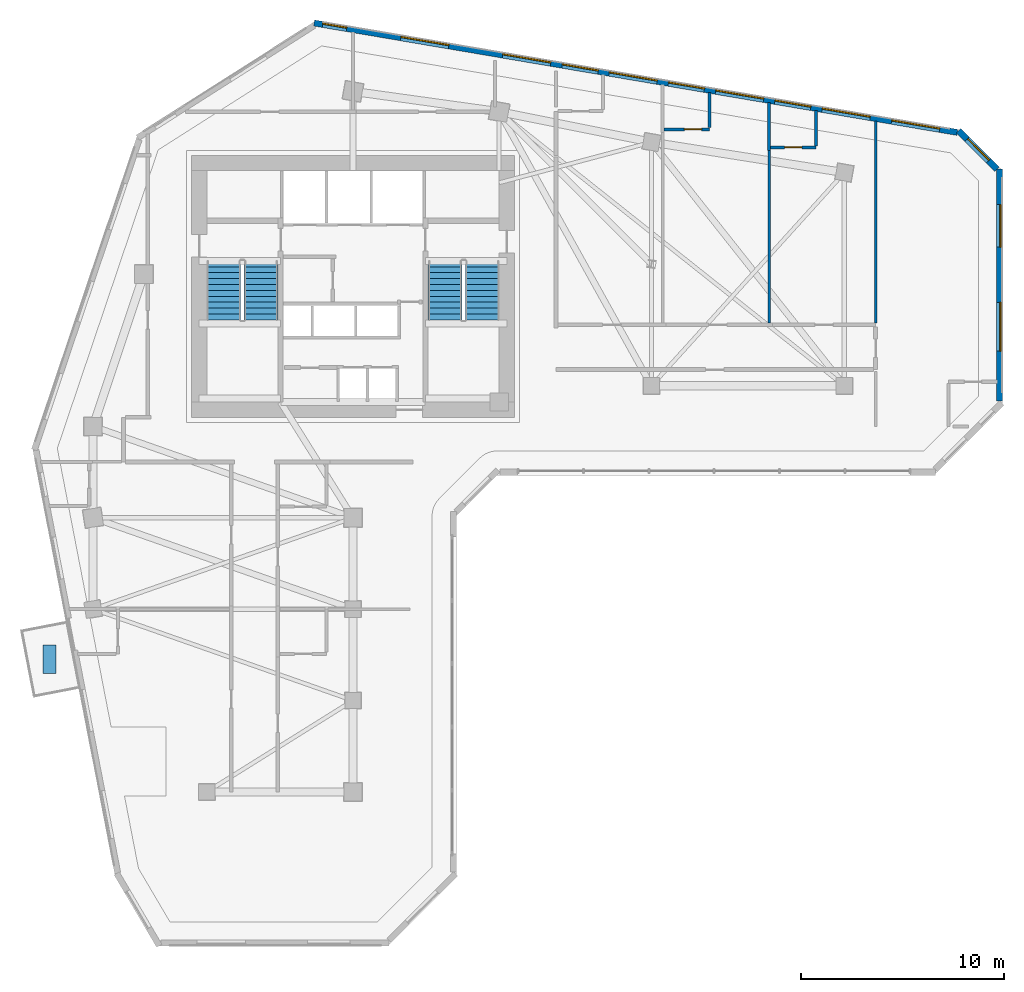
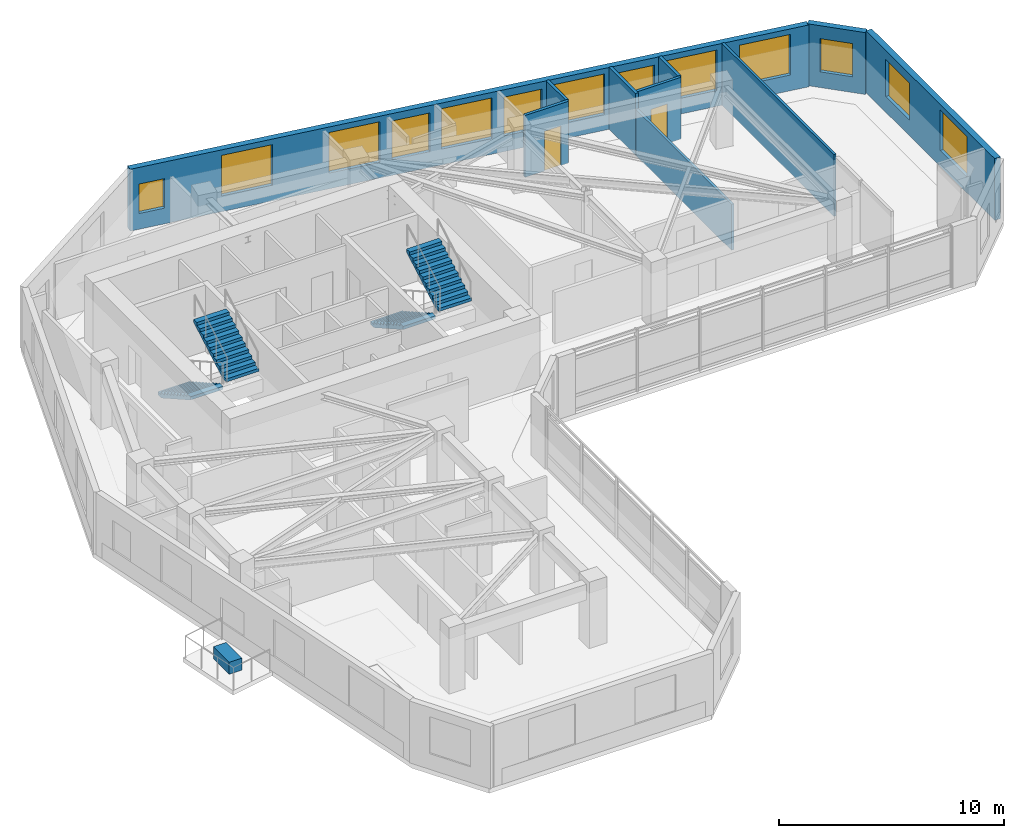
# One storey, part 8 of 11: 13 windows, 10 walls, 4 stair flights, 2 doors, 1 discrete accessory, 15 openings, 2 elements without a shape of their own.
"""IFC4 building model written with IfcOpenShell, lengths in metres."""

from ifc_helpers import new_model, si_unit, direction, frame, frame_2d, origin, origin_2d, place, context, subcontext, project, spatial, polyline, rectangle, outline, extrude, source, transform, mapped, material, layer, layer_set, type_object, element, fill, aggregate, save


model = new_model("IFC4")

# Units and contexts
model_context = context("Model", 3, precision=1e-05, world=origin(), true_north=direction((0.0, 1.0)))
body_context = subcontext(model_context, "Body", "Model", "MODEL_VIEW")
ifc_project = project(units=[si_unit("LENGTHUNIT", "METRE"), si_unit("AREAUNIT", "SQUARE_METRE"), si_unit("VOLUMEUNIT", "CUBIC_METRE"), si_unit("PLANEANGLEUNIT", "RADIAN"), si_unit("MASSUNIT", "GRAM", prefix="KILO")], contexts=[model_context])

# Site, building, storey
site_placement = place(None, origin())
site = spatial("IfcSite", under=ifc_project, at=site_placement, CompositionType="ELEMENT")
building_placement = place(site_placement, origin())
building = spatial("IfcBuilding", under=site, at=building_placement, Name="Calvemar Wedge Station Tower", CompositionType="ELEMENT")
storey_placement = place(building_placement, frame((0.0, 0.0, 117.800048828125)))
storey = spatial("IfcBuildingStorey", under=building, at=storey_placement, Name="L28", CompositionType="ELEMENT", Elevation=117.800048828125)

# Wall, openings, windows
ifc_material_1 = material(Name="Precast concrete C45", Category="concrete")
ifc_layer_1 = layer(ifc_material_1, 0.300048828125)
ifc_layer_set_1 = layer_set([ifc_layer_1], Name="Precast concrete C45")
wall_type_1 = type_object("IfcWallType", Name="W-EXT-GFRC-300", PredefinedType="SOLIDWALL", material=ifc_layer_set_1)
wall_1_placement = place(storey_placement, frame((55.64990234375, 34.249267578125, 0.0), z_axis=(0.0, 0.0, 1.0), x_axis=(0.0, 1.0, 0.0)))
wall_1 = element("IfcWall", 1, at=wall_1_placement, inside=storey, type_object=wall_type_1, Name="Storey L28 Bronze GFRC Exterior Wall 8", PredefinedType="SOLIDWALL", context=body_context, shape_type="SweptSolid", body=[
    extrude(rectangle(XDim=11.4306640625, YDim=0.300048828125, at=frame_2d((5.71533203125, 0.0))), origin(), (0.0, 0.0, 1.0), 3.349853515625),
])
shared_shape_1 = source(origin(), body_context, "Body", "SweptSolid", [
    extrude(rectangle(XDim=2.39990234375, YDim=2.199951171875, at=frame_2d((1.199951171875, 1.10009765625))), frame((0.0, 0.16015625, 0.0), z_axis=(0.0, -1.0, 0.0), x_axis=(1.0, 0.0, 0.0)), (0.0, 0.0, 1.0), 0.320068359375),
])
opening_1_placement = place(wall_1_placement, frame((2.4560546875, 0.0, 0.85009765625)))
opening_1 = element("IfcOpeningElement", 2, at=opening_1_placement, cuts=wall_1, Name="Opening W1", PredefinedType="OPENING", context=body_context, shape_type="MappedRepresentation", body=[
    mapped(shared_shape_1, transform((0.0, 0.0, 0.0), scale=1.0)),
])
shared_shape_2 = source(origin(), body_context, "Body", "SweptSolid", [
    extrude(rectangle(XDim=2.10009765625, YDim=2.0, at=frame_2d((1.050048828125, 1.0))), frame((0.0, 0.16015625, 0.0), z_axis=(0.0, -1.0, 0.0), x_axis=(1.0, 0.0, 0.0)), (0.0, 0.0, 1.0), 0.320068359375),
])
opening_2_placement = place(wall_1_placement, frame((7.575927734375, 0.0, 0.85009765625)))
opening_2 = element("IfcOpeningElement", 3, at=opening_2_placement, cuts=wall_1, Name="Opening W4", PredefinedType="OPENING", context=body_context, shape_type="MappedRepresentation", body=[
    mapped(shared_shape_2, transform((0.0, 0.0, 0.0), scale=1.0)),
])
ifc_material_2 = material(Name="Low-E laminated insulated glass", Category="glass")
window_type_1 = type_object("IfcWindowType", Name="WIN-EXT-4", PartitioningType="SINGLE_PANEL", PredefinedType="WINDOW", material=ifc_material_2)
shared_shape_3 = source(origin(), body_context, "Body", "SweptSolid", [
    extrude(rectangle(XDim=2.10009765625, YDim=2.0, at=frame_2d((1.050048828125, 1.0))), frame((0.0, -0.014892578125, 0.0), z_axis=(0.0, -1.0, 0.0), x_axis=(1.0, 0.0, 0.0)), (0.0, 0.0, 1.0), 0.06005859375),
])
window_1_placement = place(opening_2_placement, origin())
window_1 = element("IfcWindow", 4, at=window_1_placement, inside=storey, type_object=window_type_1, Name="Storey L28 Recessed Window 8.2", OverallHeight=2.0, OverallWidth=2.10009765625, PartitioningType="SINGLE_PANEL", PredefinedType="WINDOW", context=body_context, shape_type="MappedRepresentation", body=[
    mapped(shared_shape_3, transform((0.0, 0.0, 0.0), scale=1.0)),
])
fill(opening_2, window_1)
window_type_2 = type_object("IfcWindowType", Name="WIN-EXT-1", PartitioningType="SINGLE_PANEL", PredefinedType="WINDOW", material=ifc_material_2)
shared_shape_4 = source(origin(), body_context, "Body", "SweptSolid", [
    extrude(rectangle(XDim=2.39990234375, YDim=2.199951171875, at=frame_2d((1.199951171875, 1.10009765625))), frame((0.0, -0.014892578125, 0.0), z_axis=(0.0, -1.0, 0.0), x_axis=(1.0, 0.0, 0.0)), (0.0, 0.0, 1.0), 0.06005859375),
])
window_2_placement = place(opening_1_placement, origin())
window_2 = element("IfcWindow", 5, at=window_2_placement, inside=storey, type_object=window_type_2, Name="Storey L28 Recessed Window 8.1", OverallHeight=2.199951171875, OverallWidth=2.39990234375, PartitioningType="SINGLE_PANEL", PredefinedType="WINDOW", context=body_context, shape_type="MappedRepresentation", body=[
    mapped(shared_shape_4, transform((0.0, 0.0, 0.0), scale=1.0)),
])
fill(opening_1, window_2)

# Wall, opening, window
wall_2_placement = place(storey_placement, frame((55.511962890625, 45.66796875, 0.0), z_axis=(0.0, 0.0, 1.0), x_axis=(-0.707152443695, 0.707061115729, 0.0)))
wall_2 = element("IfcWall", 6, at=wall_2_placement, inside=storey, type_object=wall_type_1, Name="Storey L28 Bronze GFRC Exterior Wall 9", PredefinedType="SOLIDWALL", context=body_context, shape_type="SweptSolid", body=[
    extrude(rectangle(XDim=2.67333984375, YDim=0.300048828125, at=frame_2d((1.336669921875, 0.0))), origin(), (0.0, 0.0, 1.0), 3.349853515625),
])
shared_shape_5 = source(origin(), body_context, "Body", "SweptSolid", [
    extrude(rectangle(XDim=1.5, YDim=1.800048828125, at=frame_2d((0.75, 0.89990234375))), frame((0.0, 0.16015625, 0.0), z_axis=(0.0, -1.0, 0.0), x_axis=(1.0, 0.0, 0.0)), (0.0, 0.0, 1.0), 0.320068359375),
])
opening_3_placement = place(wall_2_placement, frame((0.5869140625, 0.0, 0.85009765625)))
opening_3 = element("IfcOpeningElement", 7, at=opening_3_placement, cuts=wall_2, Name="Opening W3", PredefinedType="OPENING", context=body_context, shape_type="MappedRepresentation", body=[
    mapped(shared_shape_5, transform((0.0, 0.0, 0.0), scale=1.0)),
])
window_type_3 = type_object("IfcWindowType", Name="WIN-EXT-3", PartitioningType="SINGLE_PANEL", PredefinedType="WINDOW", material=ifc_material_2)
shared_shape_6 = source(origin(), body_context, "Body", "SweptSolid", [
    extrude(rectangle(XDim=1.5, YDim=1.800048828125, at=frame_2d((0.75, 0.89990234375))), frame((0.0, -0.014892578125, 0.0), z_axis=(0.0, -1.0, 0.0), x_axis=(1.0, 0.0, 0.0)), (0.0, 0.0, 1.0), 0.06005859375),
])
window_3_placement = place(opening_3_placement, origin())
window_3 = element("IfcWindow", 8, at=window_3_placement, inside=storey, type_object=window_type_3, Name="Storey L28 Recessed Window 9.1", OverallHeight=1.800048828125, OverallWidth=1.5, PartitioningType="SINGLE_PANEL", PredefinedType="WINDOW", context=body_context, shape_type="MappedRepresentation", body=[
    mapped(shared_shape_6, transform((0.0, 0.0, 0.0), scale=1.0)),
])
fill(opening_3, window_3)

# Wall, openings, windows
wall_3_placement = place(storey_placement, frame((53.56103515625, 47.48046875, 0.0), z_axis=(0.0, 0.0, 1.0), x_axis=(-0.985845173895, 0.167658262868, 0.0)))
wall_3 = element("IfcWall", 9, at=wall_3_placement, inside=storey, type_object=wall_type_1, Name="Storey L28 Bronze GFRC Exterior Wall 10", PredefinedType="SOLIDWALL", context=body_context, shape_type="SweptSolid", body=[
    extrude(rectangle(XDim=32.132080078125, YDim=0.300048828125, at=frame_2d((16.06591796875, 0.0))), origin(), (0.0, 0.0, 1.0), 3.349853515625),
])
opening_4_placement = place(wall_3_placement, frame((0.882080078125, 0.0, 0.85009765625)))
opening_4 = element("IfcOpeningElement", 10, at=opening_4_placement, cuts=wall_3, Name="Opening W1", PredefinedType="OPENING", context=body_context, shape_type="MappedRepresentation", body=[
    mapped(shared_shape_1, transform((0.0, 0.0, 0.0), scale=1.0)),
])
opening_5_placement = place(wall_3_placement, frame((4.35400390625, 0.0, 0.85009765625)))
opening_5 = element("IfcOpeningElement", 11, at=opening_5_placement, cuts=wall_3, Name="Opening W1", PredefinedType="OPENING", context=body_context, shape_type="MappedRepresentation", body=[
    mapped(shared_shape_1, transform((0.0, 0.0, 0.0), scale=1.0)),
])
shared_shape_7 = source(origin(), body_context, "Body", "SweptSolid", [
    extrude(rectangle(XDim=1.800048828125, YDim=2.10009765625, at=frame_2d((0.89990234375, 1.050048828125))), frame((0.0, 0.16015625, 0.0), z_axis=(0.0, -1.0, 0.0), x_axis=(1.0, 0.0, 0.0)), (0.0, 0.0, 1.0), 0.320068359375),
])
opening_6_placement = place(wall_3_placement, frame((7.31396484375, 0.0, 0.85009765625)))
opening_6 = element("IfcOpeningElement", 12, at=opening_6_placement, cuts=wall_3, Name="Opening W2", PredefinedType="OPENING", context=body_context, shape_type="MappedRepresentation", body=[
    mapped(shared_shape_7, transform((0.0, 0.0, 0.0), scale=1.0)),
])
opening_7_placement = place(wall_3_placement, frame((9.674072265625, 0.0, 0.85009765625)))
opening_7 = element("IfcOpeningElement", 13, at=opening_7_placement, cuts=wall_3, Name="Opening W1", PredefinedType="OPENING", context=body_context, shape_type="MappedRepresentation", body=[
    mapped(shared_shape_1, transform((0.0, 0.0, 0.0), scale=1.0)),
])
opening_8_placement = place(wall_3_placement, frame((12.634033203125, 0.0, 0.85009765625)))
opening_8 = element("IfcOpeningElement", 14, at=opening_8_placement, cuts=wall_3, Name="Opening W2", PredefinedType="OPENING", context=body_context, shape_type="MappedRepresentation", body=[
    mapped(shared_shape_7, transform((0.0, 0.0, 0.0), scale=1.0)),
])
opening_9_placement = place(wall_3_placement, frame((14.993896484375, 0.0, 0.85009765625)))
opening_9 = element("IfcOpeningElement", 15, at=opening_9_placement, cuts=wall_3, Name="Opening W1", PredefinedType="OPENING", context=body_context, shape_type="MappedRepresentation", body=[
    mapped(shared_shape_1, transform((0.0, 0.0, 0.0), scale=1.0)),
])
opening_10_placement = place(wall_3_placement, frame((17.93603515625, 0.0, 0.85009765625)))
opening_10 = element("IfcOpeningElement", 16, at=opening_10_placement, cuts=wall_3, Name="Opening W2", PredefinedType="OPENING", context=body_context, shape_type="MappedRepresentation", body=[
    mapped(shared_shape_7, transform((0.0, 0.0, 0.0), scale=1.0)),
])
opening_11_placement = place(wall_3_placement, frame((20.30908203125, 0.0, 0.85009765625)))
opening_11 = element("IfcOpeningElement", 17, at=opening_11_placement, cuts=wall_3, Name="Opening W1", PredefinedType="OPENING", context=body_context, shape_type="MappedRepresentation", body=[
    mapped(shared_shape_1, transform((0.0, 0.0, 0.0), scale=1.0)),
])
opening_12_placement = place(wall_3_placement, frame((25.39990234375, 0.0, 0.85009765625)))
opening_12 = element("IfcOpeningElement", 18, at=opening_12_placement, cuts=wall_3, Name="Opening W1", PredefinedType="OPENING", context=body_context, shape_type="MappedRepresentation", body=[
    mapped(shared_shape_1, transform((0.0, 0.0, 0.0), scale=1.0)),
])
shared_shape_8 = source(origin(), body_context, "Body", "SweptSolid", [
    extrude(rectangle(XDim=1.199951171875, YDim=1.60009765625, at=frame_2d((0.60009765625, 0.800048828125))), frame((0.0, 0.16015625, 0.0), z_axis=(0.0, -1.0, 0.0), x_axis=(1.0, 0.0, 0.0)), (0.0, 0.0, 1.0), 0.320068359375),
])
opening_13_placement = place(wall_3_placement, frame((30.5, 0.0, 0.85009765625)))
opening_13 = element("IfcOpeningElement", 19, at=opening_13_placement, cuts=wall_3, Name="Opening W5", PredefinedType="OPENING", context=body_context, shape_type="MappedRepresentation", body=[
    mapped(shared_shape_8, transform((0.0, 0.0, 0.0), scale=1.0)),
])
window_type_4 = type_object("IfcWindowType", Name="WIN-EXT-2", PartitioningType="SINGLE_PANEL", PredefinedType="WINDOW", material=ifc_material_2)
shared_shape_9 = source(origin(), body_context, "Body", "SweptSolid", [
    extrude(rectangle(XDim=1.800048828125, YDim=2.10009765625, at=frame_2d((0.89990234375, 1.050048828125))), frame((0.0, -0.014892578125, 0.0), z_axis=(0.0, -1.0, 0.0), x_axis=(1.0, 0.0, 0.0)), (0.0, 0.0, 1.0), 0.06005859375),
])
window_4_placement = place(opening_6_placement, origin())
window_4 = element("IfcWindow", 20, at=window_4_placement, inside=storey, type_object=window_type_4, Name="Storey L28 Recessed Window 10.3", OverallHeight=2.10009765625, OverallWidth=1.800048828125, PartitioningType="SINGLE_PANEL", PredefinedType="WINDOW", context=body_context, shape_type="MappedRepresentation", body=[
    mapped(shared_shape_9, transform((0.0, 0.0, 0.0), scale=1.0)),
])
fill(opening_6, window_4)
window_5_placement = place(opening_8_placement, origin())
window_5 = element("IfcWindow", 21, at=window_5_placement, inside=storey, type_object=window_type_4, Name="Storey L28 Recessed Window 10.5", OverallHeight=2.10009765625, OverallWidth=1.800048828125, PartitioningType="SINGLE_PANEL", PredefinedType="WINDOW", context=body_context, shape_type="MappedRepresentation", body=[
    mapped(shared_shape_9, transform((0.0, 0.0, 0.0), scale=1.0)),
])
fill(opening_8, window_5)
window_6_placement = place(opening_10_placement, origin())
window_6 = element("IfcWindow", 22, at=window_6_placement, inside=storey, type_object=window_type_4, Name="Storey L28 Recessed Window 10.7", OverallHeight=2.10009765625, OverallWidth=1.800048828125, PartitioningType="SINGLE_PANEL", PredefinedType="WINDOW", context=body_context, shape_type="MappedRepresentation", body=[
    mapped(shared_shape_9, transform((0.0, 0.0, 0.0), scale=1.0)),
])
fill(opening_10, window_6)
window_7_placement = place(opening_4_placement, origin())
window_7 = element("IfcWindow", 23, at=window_7_placement, inside=storey, type_object=window_type_2, Name="Storey L28 Recessed Window 10.1", OverallHeight=2.199951171875, OverallWidth=2.39990234375, PartitioningType="SINGLE_PANEL", PredefinedType="WINDOW", context=body_context, shape_type="MappedRepresentation", body=[
    mapped(shared_shape_4, transform((0.0, 0.0, 0.0), scale=1.0)),
])
fill(opening_4, window_7)
window_8_placement = place(opening_5_placement, origin())
window_8 = element("IfcWindow", 24, at=window_8_placement, inside=storey, type_object=window_type_2, Name="Storey L28 Recessed Window 10.2", OverallHeight=2.199951171875, OverallWidth=2.39990234375, PartitioningType="SINGLE_PANEL", PredefinedType="WINDOW", context=body_context, shape_type="MappedRepresentation", body=[
    mapped(shared_shape_4, transform((0.0, 0.0, 0.0), scale=1.0)),
])
fill(opening_5, window_8)
window_9_placement = place(opening_7_placement, origin())
window_9 = element("IfcWindow", 25, at=window_9_placement, inside=storey, type_object=window_type_2, Name="Storey L28 Recessed Window 10.4", OverallHeight=2.199951171875, OverallWidth=2.39990234375, PartitioningType="SINGLE_PANEL", PredefinedType="WINDOW", context=body_context, shape_type="MappedRepresentation", body=[
    mapped(shared_shape_4, transform((0.0, 0.0, 0.0), scale=1.0)),
])
fill(opening_7, window_9)
window_10_placement = place(opening_9_placement, origin())
window_10 = element("IfcWindow", 26, at=window_10_placement, inside=storey, type_object=window_type_2, Name="Storey L28 Recessed Window 10.6", OverallHeight=2.199951171875, OverallWidth=2.39990234375, PartitioningType="SINGLE_PANEL", PredefinedType="WINDOW", context=body_context, shape_type="MappedRepresentation", body=[
    mapped(shared_shape_4, transform((0.0, 0.0, 0.0), scale=1.0)),
])
fill(opening_9, window_10)
window_11_placement = place(opening_11_placement, origin())
window_11 = element("IfcWindow", 27, at=window_11_placement, inside=storey, type_object=window_type_2, Name="Storey L28 Recessed Window 10.8", OverallHeight=2.199951171875, OverallWidth=2.39990234375, PartitioningType="SINGLE_PANEL", PredefinedType="WINDOW", context=body_context, shape_type="MappedRepresentation", body=[
    mapped(shared_shape_4, transform((0.0, 0.0, 0.0), scale=1.0)),
])
fill(opening_11, window_11)
window_12_placement = place(opening_12_placement, origin())
window_12 = element("IfcWindow", 28, at=window_12_placement, inside=storey, type_object=window_type_2, Name="Storey L28 Recessed Window 10.9", OverallHeight=2.199951171875, OverallWidth=2.39990234375, PartitioningType="SINGLE_PANEL", PredefinedType="WINDOW", context=body_context, shape_type="MappedRepresentation", body=[
    mapped(shared_shape_4, transform((0.0, 0.0, 0.0), scale=1.0)),
])
fill(opening_12, window_12)
window_type_5 = type_object("IfcWindowType", Name="WIN-EXT-5", PartitioningType="SINGLE_PANEL", PredefinedType="WINDOW", material=ifc_material_2)
shared_shape_10 = source(origin(), body_context, "Body", "SweptSolid", [
    extrude(rectangle(XDim=1.199951171875, YDim=1.60009765625, at=frame_2d((0.60009765625, 0.800048828125))), frame((0.0, -0.014892578125, 0.0), z_axis=(0.0, -1.0, 0.0), x_axis=(1.0, 0.0, 0.0)), (0.0, 0.0, 1.0), 0.06005859375),
])
window_13_placement = place(opening_13_placement, origin())
window_13 = element("IfcWindow", 29, at=window_13_placement, inside=storey, type_object=window_type_5, Name="Storey L28 Recessed Window 10.10", OverallHeight=1.60009765625, OverallWidth=1.199951171875, PartitioningType="SINGLE_PANEL", PredefinedType="WINDOW", context=body_context, shape_type="MappedRepresentation", body=[
    mapped(shared_shape_10, transform((0.0, 0.0, 0.0), scale=1.0)),
])
fill(opening_13, window_13)

# Walls
ifc_material_3 = material(Name="Insulated acoustic gypsum stud partition")
ifc_layer_2 = layer(ifc_material_3, 0.125)
ifc_layer_set_2 = layer_set([ifc_layer_2], Name="Insulated acoustic gypsum stud partition")
wall_type_2 = type_object("IfcWallType", Name="W-PART-125", PredefinedType="PARTITIONING", material=ifc_layer_set_2)
wall_4_placement = place(storey_placement, frame((44.2900390625, 46.57861328125, 0.0), z_axis=(0.0, 0.0, 1.0), x_axis=(0.0, -1.0, 0.0)))
element("IfcWall", 30, at=wall_4_placement, inside=storey, type_object=wall_type_2, Name="Storey L28 Interior Partition WL-L28-031", PredefinedType="PARTITIONING", context=body_context, shape_type="SweptSolid", body=[
    extrude(rectangle(XDim=8.484619140625, YDim=0.125, at=frame_2d((4.2421875, 0.0))), origin(), (0.0, 0.0, 1.0), 2.491943359375),
])
wall_5_placement = place(storey_placement, frame((49.534912109375, 48.048583984375, 0.0), z_axis=(0.0, 0.0, 1.0), x_axis=(0.0, -1.0, 0.0)))
element("IfcWall", 31, at=wall_5_placement, inside=storey, type_object=wall_type_2, Name="Storey L28 Interior Partition WL-L28-034", PredefinedType="PARTITIONING", context=body_context, shape_type="SweptSolid", body=[
    extrude(rectangle(XDim=9.95458984375, YDim=0.125, at=frame_2d((4.977294921875, 0.0))), origin(), (0.0, 0.0, 1.0), 3.349853515625),
])

# Wall, opening, door
ifc_material_4 = material(Name="Moisture-resistant acoustic bathroom partition")
ifc_layer_3 = layer(ifc_material_4, 0.14990234375)
ifc_layer_set_3 = layer_set([ifc_layer_3], Name="Moisture-resistant acoustic bathroom partition")
wall_type_3 = type_object("IfcWallType", Name="W-WET-150", PredefinedType="PARTITIONING", material=ifc_layer_set_3)
wall_6_placement = place(storey_placement, frame((41.35302734375, 47.632568359375, 0.0), z_axis=(0.0, 0.0, 1.0), x_axis=(-1.0, 0.0, 0.0)))
wall_6 = element("IfcWall", 32, at=wall_6_placement, inside=storey, type_object=wall_type_3, Name="Storey L28 Interior Partition WL-L28-028", PredefinedType="PARTITIONING", context=body_context, shape_type="SweptSolid", body=[
    extrude(rectangle(XDim=2.22900390625, YDim=0.14990234375, at=frame_2d((1.114501953125, 0.0))), origin(), (0.0, 0.0, 1.0), 3.349853515625),
])
shared_shape_11 = source(origin(), body_context, "Body", "SweptSolid", [
    extrude(rectangle(XDim=0.85009765625, YDim=2.14990234375, at=frame_2d((0.425048828125, 1.074951171875))), frame((0.0, 0.0849609375, 0.0), z_axis=(0.0, -1.0, 0.0), x_axis=(1.0, 0.0, 0.0)), (0.0, 0.0, 1.0), 0.169921875),
])
opening_14_placement = place(wall_6_placement, frame((0.38232421875, 0.0, 0.0)))
opening_14 = element("IfcOpeningElement", 33, at=opening_14_placement, cuts=wall_6, Name="Opening D-02", PredefinedType="OPENING", context=body_context, shape_type="MappedRepresentation", body=[
    mapped(shared_shape_11, transform((0.0, 0.0, 0.0), scale=1.0)),
])
ifc_material_5 = material(Name="Moisture-sealed bathroom hardwood swing door", Category="wood")
door_type = type_object("IfcDoorType", Name="DR-WET-850", OperationType="NOTDEFINED", PredefinedType="DOOR", material=ifc_material_5)
shared_shape_12 = source(origin(), body_context, "Body", "SweptSolid", [
    extrude(rectangle(XDim=0.85009765625, YDim=2.14990234375, at=frame_2d((0.425048828125, 1.074951171875))), frame((0.0, 0.02490234375, 0.0), z_axis=(0.0, -1.0, 0.0), x_axis=(1.0, 0.0, 0.0)), (0.0, 0.0, 1.0), 0.050048828125),
])
door_1_placement = place(opening_14_placement, origin())
door_1 = element("IfcDoor", 34, at=door_1_placement, inside=storey, type_object=door_type, Name="L28 En-Suite Bathroom Door", OperationType="SINGLE_SWING_RIGHT", OverallHeight=2.14990234375, OverallWidth=0.85009765625, PredefinedType="DOOR", context=body_context, shape_type="MappedRepresentation", body=[
    mapped(shared_shape_12, transform((0.0, 0.0, 0.0), scale=1.0)),
])
fill(opening_14, door_1)

# Walls
wall_7_placement = place(storey_placement, frame((41.35302734375, 49.43994140625, 0.0), z_axis=(0.0, 0.0, 1.0), x_axis=(0.0, -1.0, 0.0)))
element("IfcWall", 35, at=wall_7_placement, inside=storey, type_object=wall_type_3, Name="Storey L28 Interior Partition WL-L28-029", PredefinedType="PARTITIONING", context=body_context, shape_type="SweptSolid", body=[
    extrude(rectangle(XDim=1.728515625, YDim=0.14990234375, at=frame_2d((0.8642578125, 0.0))), origin(), (0.0, 0.0, 1.0), 3.349853515625),
])
wall_8_placement = place(storey_placement, frame((44.2900390625, 48.9404296875, 0.0), z_axis=(0.0, 0.0, 1.0), x_axis=(0.0, -1.0, 0.0)))
element("IfcWall", 36, at=wall_8_placement, inside=storey, type_object=wall_type_3, Name="Storey L28 Interior Partition WL-L28-030", PredefinedType="PARTITIONING", context=body_context, shape_type="SweptSolid", body=[
    extrude(rectangle(XDim=2.35986328125, YDim=0.14990234375, at=frame_2d((1.179931640625, 0.0))), origin(), (0.0, 0.0, 1.0), 3.349853515625),
])

# Wall, opening, door
wall_9_placement = place(storey_placement, frame((46.597900390625, 46.740478515625, 0.0), z_axis=(0.0, 0.0, 1.0), x_axis=(-1.0, 0.0, 0.0)))
wall_9 = element("IfcWall", 37, at=wall_9_placement, inside=storey, type_object=wall_type_3, Name="Storey L28 Interior Partition WL-L28-032", PredefinedType="PARTITIONING", context=body_context, shape_type="SweptSolid", body=[
    extrude(rectangle(XDim=2.22900390625, YDim=0.14990234375, at=frame_2d((1.114501953125, 0.0))), origin(), (0.0, 0.0, 1.0), 3.349853515625),
])
opening_15_placement = place(wall_9_placement, frame((0.689453125, 0.0, 0.0)))
opening_15 = element("IfcOpeningElement", 38, at=opening_15_placement, cuts=wall_9, Name="Opening D-02", PredefinedType="OPENING", context=body_context, shape_type="MappedRepresentation", body=[
    mapped(shared_shape_11, transform((0.0, 0.0, 0.0), scale=1.0)),
])
door_2_placement = place(opening_15_placement, origin())
door_2 = element("IfcDoor", 39, at=door_2_placement, inside=storey, type_object=door_type, Name="L28 En-Suite Bathroom Door", OperationType="SINGLE_SWING_RIGHT", OverallHeight=2.14990234375, OverallWidth=0.85009765625, PredefinedType="DOOR", context=body_context, shape_type="MappedRepresentation", body=[
    mapped(shared_shape_12, transform((0.0, 0.0, 0.0), scale=1.0)),
])
fill(opening_15, door_2)

# Wall
wall_10_placement = place(storey_placement, frame((46.597900390625, 48.548095703125, 0.0), z_axis=(0.0, 0.0, 1.0), x_axis=(0.0, -1.0, 0.0)))
element("IfcWall", 40, at=wall_10_placement, inside=storey, type_object=wall_type_3, Name="Storey L28 Interior Partition WL-L28-033", PredefinedType="PARTITIONING", context=body_context, shape_type="SweptSolid", body=[
    extrude(rectangle(XDim=1.728515625, YDim=0.14990234375, at=frame_2d((0.8642578125, 0.0))), origin(), (0.0, 0.0, 1.0), 3.349853515625),
])

# Stair, stair flights
ifc_material_6 = material(Name="Concrete C45", Category="concrete")
stair_type = type_object("IfcStairType", Name="ST-TYPE-3600", PredefinedType="HALF_TURN_STAIR", material=ifc_material_6)
stair_1_placement = place(storey_placement, origin())
stair_1 = element("IfcStair", 41, at=stair_1_placement, inside=storey, type_object=stair_type, Name="L28 Pressurized Core Exit Stair ST-C1", PredefinedType="HALF_TURN_STAIR")
stair_flight_type = type_object("IfcStairFlightType", Name="STF-TYPE-3600", PredefinedType="STRAIGHT", material=ifc_material_6)
stair_flight_1_placement = place(storey_placement, frame((17.429931640625, 41.14990234375, 0.0), z_axis=(0.0, 0.0, 1.0), x_axis=(0.0, -1.0, 0.0)))
stair_flight_1 = element("IfcStairFlight", 42, at=stair_flight_1_placement, type_object=stair_flight_type, Name="ST-C1 flight 1", NumberOfRisers=11, NumberOfTreads=10, PredefinedType="STRAIGHT", RiserHeight=0.163636364, TreadLength=0.29, context=body_context, shape_type="SweptSolid", body=[
    extrude(outline(polyline([(0.0, 0.0), (0.0, 0.16357421875), (0.2900390625, 0.16357421875), (0.2900390625, 0.327392578125), (0.580078125, 0.327392578125), (0.580078125, 0.490966796875), (0.8701171875, 0.490966796875), (0.8701171875, 0.654541015625), (1.159912109375, 0.654541015625), (1.159912109375, 0.818115234375), (1.449951171875, 0.818115234375), (1.449951171875, 0.98193359375), (1.739990234375, 0.98193359375), (1.739990234375, 1.1455078125), (2.030029296875, 1.1455078125), (2.030029296875, 1.30908203125), (2.320068359375, 1.30908203125), (2.320068359375, 1.47265625), (2.610107421875, 1.47265625), (2.610107421875, 1.636474609375), (2.89990234375, 1.636474609375), (2.89990234375, 1.800048828125), (2.89990234375, 1.46435546875), (0.304931640625, 0.0), (0.0, 0.0)])), frame((0.0, 0.830078125, 0.0), z_axis=(0.0, -1.0, 0.0), x_axis=(1.0, 0.0, 0.0)), (0.0, 0.0, 1.0), 1.659912109375),
])
stair_flight_2_placement = place(storey_placement, frame((19.27001953125, 38.25, 1.800048828125), z_axis=(0.0, 0.0, 1.0), x_axis=(0.0, 1.0, 0.0)))
stair_flight_2 = element("IfcStairFlight", 43, at=stair_flight_2_placement, type_object=stair_flight_type, Name="ST-C1 flight 2", NumberOfRisers=11, NumberOfTreads=10, PredefinedType="STRAIGHT", RiserHeight=0.163636364, TreadLength=0.29, context=body_context, shape_type="SweptSolid", body=[
    extrude(outline(polyline([(0.0, 0.0), (0.0, 0.16357421875), (0.2900390625, 0.16357421875), (0.2900390625, 0.327392578125), (0.580078125, 0.327392578125), (0.580078125, 0.490966796875), (0.8701171875, 0.490966796875), (0.8701171875, 0.654541015625), (1.159912109375, 0.654541015625), (1.159912109375, 0.818115234375), (1.449951171875, 0.818115234375), (1.449951171875, 0.98193359375), (1.739990234375, 0.98193359375), (1.739990234375, 1.1455078125), (2.030029296875, 1.1455078125), (2.030029296875, 1.30908203125), (2.320068359375, 1.30908203125), (2.320068359375, 1.47265625), (2.610107421875, 1.47265625), (2.610107421875, 1.636474609375), (2.89990234375, 1.636474609375), (2.89990234375, 1.800048828125), (2.89990234375, 1.46435546875), (0.304931640625, 0.0), (0.0, 0.0)])), frame((0.0, 0.830078125, 0.0), z_axis=(0.0, -1.0, 0.0), x_axis=(1.0, 0.0, 0.0)), (0.0, 0.0, 1.0), 1.659912109375),
])
aggregate(stair_1, [stair_flight_1, stair_flight_2])

stair_2_placement = place(storey_placement, origin())
stair_2 = element("IfcStair", 44, at=stair_2_placement, inside=storey, type_object=stair_type, Name="L28 Pressurized Core Exit Stair ST-C2", PredefinedType="HALF_TURN_STAIR")
stair_flight_3_placement = place(storey_placement, frame((28.330078125, 41.14990234375, 0.0), z_axis=(0.0, 0.0, 1.0), x_axis=(0.0, -1.0, 0.0)))
stair_flight_3 = element("IfcStairFlight", 45, at=stair_flight_3_placement, type_object=stair_flight_type, Name="ST-C2 flight 1", NumberOfRisers=11, NumberOfTreads=10, PredefinedType="STRAIGHT", RiserHeight=0.163636364, TreadLength=0.29, context=body_context, shape_type="SweptSolid", body=[
    extrude(outline(polyline([(0.0, 0.0), (0.0, 0.16357421875), (0.2900390625, 0.16357421875), (0.2900390625, 0.327392578125), (0.580078125, 0.327392578125), (0.580078125, 0.490966796875), (0.8701171875, 0.490966796875), (0.8701171875, 0.654541015625), (1.159912109375, 0.654541015625), (1.159912109375, 0.818115234375), (1.449951171875, 0.818115234375), (1.449951171875, 0.98193359375), (1.739990234375, 0.98193359375), (1.739990234375, 1.1455078125), (2.030029296875, 1.1455078125), (2.030029296875, 1.30908203125), (2.320068359375, 1.30908203125), (2.320068359375, 1.47265625), (2.610107421875, 1.47265625), (2.610107421875, 1.636474609375), (2.89990234375, 1.636474609375), (2.89990234375, 1.800048828125), (2.89990234375, 1.46435546875), (0.304931640625, 0.0), (0.0, 0.0)])), frame((0.0, 0.830078125, 0.0), z_axis=(0.0, -1.0, 0.0), x_axis=(1.0, 0.0, 0.0)), (0.0, 0.0, 1.0), 1.659912109375),
])
stair_flight_4_placement = place(storey_placement, frame((30.169921875, 38.25, 1.800048828125), z_axis=(0.0, 0.0, 1.0), x_axis=(0.0, 1.0, 0.0)))
stair_flight_4 = element("IfcStairFlight", 46, at=stair_flight_4_placement, type_object=stair_flight_type, Name="ST-C2 flight 2", NumberOfRisers=11, NumberOfTreads=10, PredefinedType="STRAIGHT", RiserHeight=0.163636364, TreadLength=0.29, context=body_context, shape_type="SweptSolid", body=[
    extrude(outline(polyline([(0.0, 0.0), (0.0, 0.16357421875), (0.2900390625, 0.16357421875), (0.2900390625, 0.327392578125), (0.580078125, 0.327392578125), (0.580078125, 0.490966796875), (0.8701171875, 0.490966796875), (0.8701171875, 0.654541015625), (1.159912109375, 0.654541015625), (1.159912109375, 0.818115234375), (1.449951171875, 0.818115234375), (1.449951171875, 0.98193359375), (1.739990234375, 0.98193359375), (1.739990234375, 1.1455078125), (2.030029296875, 1.1455078125), (2.030029296875, 1.30908203125), (2.320068359375, 1.30908203125), (2.320068359375, 1.47265625), (2.610107421875, 1.47265625), (2.610107421875, 1.636474609375), (2.89990234375, 1.636474609375), (2.89990234375, 1.800048828125), (2.89990234375, 1.46435546875), (0.304931640625, 0.0), (0.0, 0.0)])), frame((0.0, 0.830078125, 0.0), z_axis=(0.0, -1.0, 0.0), x_axis=(1.0, 0.0, 0.0)), (0.0, 0.0, 1.0), 1.659912109375),
])
aggregate(stair_2, [stair_flight_3, stair_flight_4])

# Discrete accessory
discrete_accessory_type = type_object("IfcDiscreteAccessoryType", Name="ACC-PLANTER", PredefinedType="USERDEFINED", material=ifc_material_1)
shared_shape_13 = source(origin(), body_context, "Body", "SweptSolid", [
    extrude(rectangle(XDim=0.64990234375, YDim=1.39990234375, at=origin_2d()), origin(), (0.0, 0.0, 1.0), 0.64990234375),
])
discrete_accessory_placement = place(storey_placement, frame((8.85205078125, 21.531982421875, 0.0), z_axis=(0.0, 0.0, 1.0), x_axis=(1.0, 0.0, 0.0)))
element("IfcDiscreteAccessory", 47, at=discrete_accessory_placement, inside=storey, type_object=discrete_accessory_type, Name="Storey L28 Planted Terrace GFRC Planter", ObjectType="PLANTER", PredefinedType="USERDEFINED", context=body_context, shape_type="MappedRepresentation", body=[
    mapped(shared_shape_13, transform((0.0, 0.0, 0.0), scale=1.0)),
])

save(model, "model.ifc")
